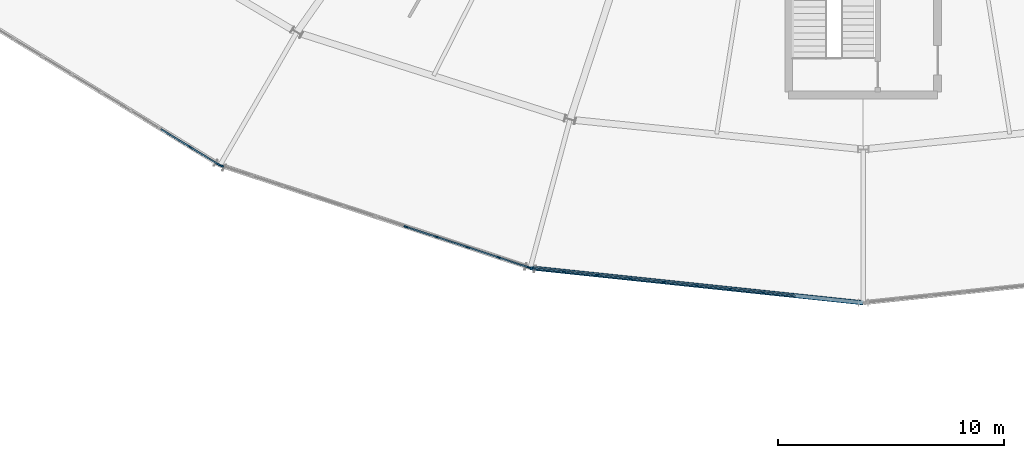
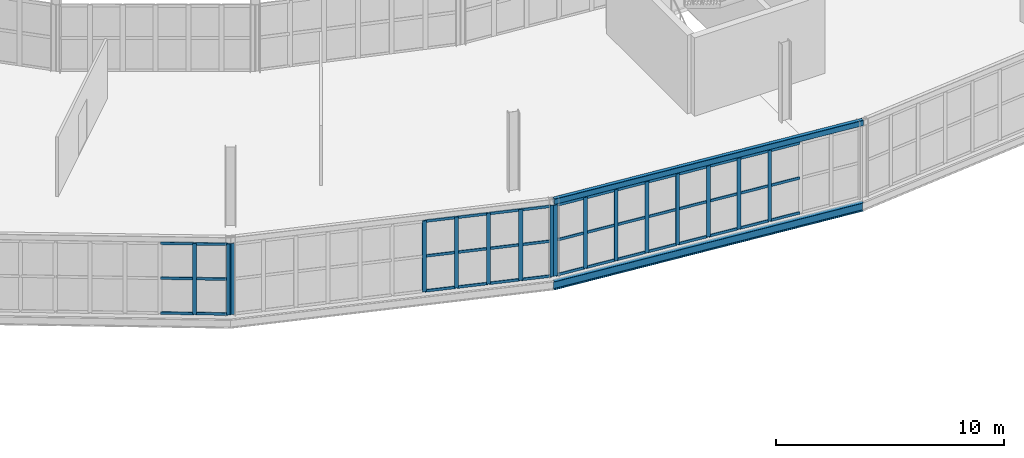
# One storey, part 42 of 161: 58 members, 2 beams, 3 elements without a shape of their own.
"""IFC4 building model written with IfcOpenShell, lengths in metres."""

from ifc_helpers import new_model, si_unit, direction, frame, origin, origin_2d, place, context, subcontext, project, spatial, rectangle, hollow_rectangle, i_section, extrude, material, material_profile, profile_set, type_object, element, aggregate, save


model = new_model("IFC4")

# Units and contexts
model_context = context("Model", 3, precision=1e-05, world=origin(), true_north=direction((0.0, 1.0)))
body_context = subcontext(model_context, "Body", "Model", "MODEL_VIEW")
ifc_project = project(units=[si_unit("LENGTHUNIT", "METRE"), si_unit("AREAUNIT", "SQUARE_METRE"), si_unit("VOLUMEUNIT", "CUBIC_METRE"), si_unit("PLANEANGLEUNIT", "RADIAN"), si_unit("MASSUNIT", "GRAM", prefix="KILO")], contexts=[model_context])

# Site, building, storey
site_placement = place(None, origin())
site = spatial("IfcSite", under=ifc_project, at=site_placement, CompositionType="ELEMENT")
building_placement = place(site_placement, origin())
building = spatial("IfcBuilding", under=site, at=building_placement, Name="Kildeholm Park Wholesale Market", CompositionType="ELEMENT")
storey_placement = place(building_placement, frame((0.0, 0.0, 5.39990234375)))
storey = spatial("IfcBuildingStorey", under=building, at=storey_placement, Name="L01", CompositionType="ELEMENT", Elevation=5.39990234375)

# Beams
ifc_material_1 = material(Name="Steel S355", Category="steel")
ifc_material_profile_1 = material_profile(ifc_material_1, i_section(OverallWidth=0.18994140625, OverallDepth=0.449951171875, WebThickness=0.009521484375, FlangeThickness=0.0146484375, FilletRadius=0.02099609375, at=origin_2d()), Name="IPE 450")
ifc_profile_set_1 = profile_set([ifc_material_profile_1], Name="Steel S355")
beam_type_1 = type_object("IfcBeamType", Name="Beam B-P02 IPE 450", PredefinedType="BEAM", material=ifc_profile_set_1)
beam_1_placement = place(storey_placement, frame((84.2470703125, 45.550048828125, -0.474853515625), z_axis=(0.99452572496, -0.104492020715, 0.0), x_axis=(0.104492020715, 0.99452572496, 0.0)))
element("IfcBeam", 1, at=beam_1_placement, inside=storey, type_object=beam_type_1, Name="Beam BM-V1-L01-CO-17 BM-0160", PredefinedType="BEAM", context=body_context, shape_type="SweptSolid", body=[
    extrude(i_section(OverallWidth=0.18994140625, OverallDepth=0.449951171875, WebThickness=0.009521484375, FlangeThickness=0.0146484375, FilletRadius=0.02099609375, at=origin_2d()), origin(), (0.0, 0.0, 1.0), 14.834228515625),
])
ifc_material_profile_2 = material_profile(ifc_material_1, hollow_rectangle(XDim=0.199951171875, YDim=0.300048828125, WallThickness=0.012451171875, InnerFilletRadius=0.012451171875, OuterFilletRadius=0.02490234375, at=origin_2d()), Name="RHS 300x200x12.5")
ifc_profile_set_2 = profile_set([ifc_material_profile_2], Name="Steel S355")
beam_type_2 = type_object("IfcBeamType", Name="Beam SP-01 RHS 300x200x12.5", PredefinedType="SPANDREL", material=ifc_profile_set_2)
beam_2_placement = place(storey_placement, frame((84.2470703125, 45.550048828125, 4.02294921875), z_axis=(0.99452572496, -0.104492020715, 0.0), x_axis=(0.104492020715, 0.99452572496, 0.0)))
element("IfcBeam", 2, at=beam_2_placement, inside=storey, type_object=beam_type_2, Name="Beam SP-V1-EAV-17 BM-0322", PredefinedType="SPANDREL", context=body_context, shape_type="SweptSolid", body=[
    extrude(hollow_rectangle(XDim=0.199951171875, YDim=0.300048828125, WallThickness=0.012451171875, InnerFilletRadius=0.012451171875, OuterFilletRadius=0.02490234375, at=origin_2d()), origin(), (0.0, 0.0, 1.0), 14.834228515625),
])

# Curtain wall, members
ifc_material_2 = material(Name="Anodised aluminium and low-E double-glazed glass", Category="aluminium")
curtain_wall_type = type_object("IfcCurtainWallType", Name="Market hall glazed arcade stick curtain wall CW-01", PredefinedType="NOTDEFINED", material=ifc_material_2)
curtain_wall_1_placement = place(storey_placement, origin())
curtain_wall_1 = element("IfcCurtainWall", 3, at=curtain_wall_1_placement, inside=storey, type_object=curtain_wall_type, Name="Curtain wall CW-V1-OT-15-1 CW-0074", PredefinedType="NOTDEFINED")
ifc_material_3 = material(Name="Anodised aluminium", Category="aluminium")
ifc_material_profile_3 = material_profile(ifc_material_3, rectangle(XDim=0.06494140625, YDim=0.179931640625, at=origin_2d()), Name="CWM 65x180")
ifc_profile_set_3 = profile_set([ifc_material_profile_3], Name="Anodised aluminium")
member_type_1 = type_object("IfcMemberType", Name="Curtain-wall mullion CWM-1 CWM 65x180", PredefinedType="MULLION", material=ifc_profile_set_3)
member_1_placement = place(storey_placement, frame((69.15869140625, 50.911865234375, 0.0), z_axis=(0.0, 0.0, 1.0), x_axis=(0.522284342695, 0.852771402766, 0.0)))
member_1 = element("IfcMember", 4, at=member_1_placement, type_object=member_type_1, Name="CW-01 mullion 9 MEM-2383", PredefinedType="MULLION", context=body_context, shape_type="SweptSolid", body=[
    extrude(rectangle(XDim=0.06494140625, YDim=0.179931640625, at=origin_2d()), origin(), (0.0, 0.0, 1.0), 3.800048828125),
])
member_2_placement = place(storey_placement, frame((70.435302734375, 50.1298828125, 0.0), z_axis=(0.0, 0.0, 1.0), x_axis=(0.522284342695, 0.852771402766, 0.0)))
member_2 = element("IfcMember", 5, at=member_2_placement, type_object=member_type_1, Name="CW-01 mullion 10 MEM-2384", PredefinedType="MULLION", context=body_context, shape_type="SweptSolid", body=[
    extrude(rectangle(XDim=0.06494140625, YDim=0.179931640625, at=origin_2d()), origin(), (0.0, 0.0, 1.0), 3.800048828125),
])

curtain_wall_2_placement = place(storey_placement, origin())
curtain_wall_2 = element("IfcCurtainWall", 6, at=curtain_wall_2_placement, inside=storey, type_object=curtain_wall_type, Name="Curtain wall CW-V1-OT-16-1 CW-0079", PredefinedType="NOTDEFINED")
member_3_placement = place(storey_placement, frame((70.56689453125, 50.06884765625, 0.0), z_axis=(0.0, 0.0, 1.0), x_axis=(0.313914140335, 0.949451374478, 0.0)))
member_3 = element("IfcMember", 7, at=member_3_placement, type_object=member_type_1, Name="CW-01 mullion 1 MEM-2520", PredefinedType="MULLION", context=body_context, shape_type="SweptSolid", body=[
    extrude(rectangle(XDim=0.06494140625, YDim=0.179931640625, at=origin_2d()), origin(), (0.0, 0.0, 1.0), 3.800048828125),
])
member_4_placement = place(storey_placement, frame((78.738525390625, 47.366943359375, 0.0), z_axis=(0.0, 0.0, 1.0), x_axis=(0.313914140335, 0.949451374478, 0.0)))
member_4 = element("IfcMember", 8, at=member_4_placement, type_object=member_type_1, Name="CW-01 mullion 7 MEM-2526", PredefinedType="MULLION", context=body_context, shape_type="SweptSolid", body=[
    extrude(rectangle(XDim=0.06494140625, YDim=0.179931640625, at=origin_2d()), origin(), (0.0, 0.0, 1.0), 3.800048828125),
])
member_5_placement = place(storey_placement, frame((80.105712890625, 46.9150390625, 0.0), z_axis=(0.0, 0.0, 1.0), x_axis=(0.313914140335, 0.949451374478, 0.0)))
member_5 = element("IfcMember", 9, at=member_5_placement, type_object=member_type_1, Name="CW-01 mullion 8 MEM-2527", PredefinedType="MULLION", context=body_context, shape_type="SweptSolid", body=[
    extrude(rectangle(XDim=0.06494140625, YDim=0.179931640625, at=origin_2d()), origin(), (0.0, 0.0, 1.0), 3.800048828125),
])
member_6_placement = place(storey_placement, frame((81.472900390625, 46.462890625, 0.0), z_axis=(0.0, 0.0, 1.0), x_axis=(0.313914140335, 0.949451374478, 0.0)))
member_6 = element("IfcMember", 10, at=member_6_placement, type_object=member_type_1, Name="CW-01 mullion 9 MEM-2528", PredefinedType="MULLION", context=body_context, shape_type="SweptSolid", body=[
    extrude(rectangle(XDim=0.06494140625, YDim=0.179931640625, at=origin_2d()), origin(), (0.0, 0.0, 1.0), 3.800048828125),
])
member_7_placement = place(storey_placement, frame((82.83984375, 46.010986328125, 0.0), z_axis=(0.0, 0.0, 1.0), x_axis=(0.313914140335, 0.949451374478, 0.0)))
member_7 = element("IfcMember", 11, at=member_7_placement, type_object=member_type_1, Name="CW-01 mullion 10 MEM-2529", PredefinedType="MULLION", context=body_context, shape_type="SweptSolid", body=[
    extrude(rectangle(XDim=0.06494140625, YDim=0.179931640625, at=origin_2d()), origin(), (0.0, 0.0, 1.0), 3.800048828125),
])
member_8_placement = place(storey_placement, frame((84.176025390625, 45.569091796875, 0.0), z_axis=(0.0, 0.0, 1.0), x_axis=(0.313914140335, 0.949451374478, 0.0)))
member_8 = element("IfcMember", 12, at=member_8_placement, type_object=member_type_1, Name="CW-01 mullion 11 MEM-2530", PredefinedType="MULLION", context=body_context, shape_type="SweptSolid", body=[
    extrude(rectangle(XDim=0.06494140625, YDim=0.179931640625, at=origin_2d()), origin(), (0.0, 0.0, 1.0), 3.800048828125),
])

curtain_wall_3_placement = place(storey_placement, origin())
curtain_wall_3 = element("IfcCurtainWall", 13, at=curtain_wall_3_placement, inside=storey, type_object=curtain_wall_type, Name="Curtain wall CW-V1-OT-17-1 CW-0084", PredefinedType="NOTDEFINED")
member_9_placement = place(storey_placement, frame((84.318359375, 45.53857421875, 0.0), z_axis=(0.0, 0.0, 1.0), x_axis=(0.104508383308, 0.994524005652, 0.0)))
member_9 = element("IfcMember", 14, at=member_9_placement, type_object=member_type_1, Name="CW-01 mullion 1 MEM-2669", PredefinedType="MULLION", context=body_context, shape_type="SweptSolid", body=[
    extrude(rectangle(XDim=0.06494140625, YDim=0.179931640625, at=origin_2d()), origin(), (0.0, 0.0, 1.0), 3.800048828125),
])
member_10_placement = place(storey_placement, frame((85.75341796875, 45.3876953125, 0.0), z_axis=(0.0, 0.0, 1.0), x_axis=(0.104508383308, 0.994524005652, 0.0)))
member_10 = element("IfcMember", 15, at=member_10_placement, type_object=member_type_1, Name="CW-01 mullion 2 MEM-2670", PredefinedType="MULLION", context=body_context, shape_type="SweptSolid", body=[
    extrude(rectangle(XDim=0.06494140625, YDim=0.179931640625, at=origin_2d()), origin(), (0.0, 0.0, 1.0), 3.800048828125),
])
member_11_placement = place(storey_placement, frame((87.220703125, 45.233642578125, 0.0), z_axis=(0.0, 0.0, 1.0), x_axis=(0.104508383308, 0.994524005652, 0.0)))
member_11 = element("IfcMember", 16, at=member_11_placement, type_object=member_type_1, Name="CW-01 mullion 3 MEM-2671", PredefinedType="MULLION", context=body_context, shape_type="SweptSolid", body=[
    extrude(rectangle(XDim=0.06494140625, YDim=0.179931640625, at=origin_2d()), origin(), (0.0, 0.0, 1.0), 3.800048828125),
])
member_12_placement = place(storey_placement, frame((88.688232421875, 45.079345703125, 0.0), z_axis=(0.0, 0.0, 1.0), x_axis=(0.104508383308, 0.994524005652, 0.0)))
member_12 = element("IfcMember", 17, at=member_12_placement, type_object=member_type_1, Name="CW-01 mullion 4 MEM-2672", PredefinedType="MULLION", context=body_context, shape_type="SweptSolid", body=[
    extrude(rectangle(XDim=0.06494140625, YDim=0.179931640625, at=origin_2d()), origin(), (0.0, 0.0, 1.0), 3.800048828125),
])
member_13_placement = place(storey_placement, frame((90.155517578125, 44.92529296875, 0.0), z_axis=(0.0, 0.0, 1.0), x_axis=(0.104508383308, 0.994524005652, 0.0)))
member_13 = element("IfcMember", 18, at=member_13_placement, type_object=member_type_1, Name="CW-01 mullion 5 MEM-2673", PredefinedType="MULLION", context=body_context, shape_type="SweptSolid", body=[
    extrude(rectangle(XDim=0.06494140625, YDim=0.179931640625, at=origin_2d()), origin(), (0.0, 0.0, 1.0), 3.800048828125),
])
member_14_placement = place(storey_placement, frame((91.623046875, 44.77099609375, 0.0), z_axis=(0.0, 0.0, 1.0), x_axis=(0.104508383308, 0.994524005652, 0.0)))
member_14 = element("IfcMember", 19, at=member_14_placement, type_object=member_type_1, Name="CW-01 mullion 6 MEM-2674", PredefinedType="MULLION", context=body_context, shape_type="SweptSolid", body=[
    extrude(rectangle(XDim=0.06494140625, YDim=0.179931640625, at=origin_2d()), origin(), (0.0, 0.0, 1.0), 3.800048828125),
])
member_15_placement = place(storey_placement, frame((93.09033203125, 44.61669921875, 0.0), z_axis=(0.0, 0.0, 1.0), x_axis=(0.104508383308, 0.994524005652, 0.0)))
member_15 = element("IfcMember", 20, at=member_15_placement, type_object=member_type_1, Name="CW-01 mullion 7 MEM-2675", PredefinedType="MULLION", context=body_context, shape_type="SweptSolid", body=[
    extrude(rectangle(XDim=0.06494140625, YDim=0.179931640625, at=origin_2d()), origin(), (0.0, 0.0, 1.0), 3.800048828125),
])
member_16_placement = place(storey_placement, frame((94.557861328125, 44.462646484375, 0.0), z_axis=(0.0, 0.0, 1.0), x_axis=(0.104508383308, 0.994524005652, 0.0)))
member_16 = element("IfcMember", 21, at=member_16_placement, type_object=member_type_1, Name="CW-01 mullion 8 MEM-2676", PredefinedType="MULLION", context=body_context, shape_type="SweptSolid", body=[
    extrude(rectangle(XDim=0.06494140625, YDim=0.179931640625, at=origin_2d()), origin(), (0.0, 0.0, 1.0), 3.800048828125),
])

# Member
ifc_material_profile_4 = material_profile(ifc_material_3, rectangle(XDim=0.06494140625, YDim=0.139892578125, at=origin_2d()), Name="CWT 65x140")
ifc_profile_set_4 = profile_set([ifc_material_profile_4], Name="Anodised aluminium")
member_type_2 = type_object("IfcMemberType", Name="Curtain-wall transom CWT-1 CWT 65x140", PredefinedType="USERDEFINED", material=ifc_profile_set_4)
member_17_placement = place(storey_placement, frame((67.88232421875, 51.693603515625, 0.03271484375), z_axis=(0.852749773826, -0.522319656187, 0.0), x_axis=(0.522319656187, 0.852749773826, 0.0)))
member_17 = element("IfcMember", 22, at=member_17_placement, type_object=member_type_2, Name="CW-01 transom 8.1 MEM-2406", ObjectType="TRANSOM", PredefinedType="USERDEFINED", context=body_context, shape_type="SweptSolid", body=[
    extrude(rectangle(XDim=0.06494140625, YDim=0.139892578125, at=origin_2d()), origin(), (0.0, 0.0, 1.0), 1.46435546875),
])

member_18_placement = place(storey_placement, frame((67.88232421875, 51.693603515625, 1.900146484375), z_axis=(0.852749773826, -0.522319656187, 0.0), x_axis=(0.522319656187, 0.852749773826, 0.0)))
member_18 = element("IfcMember", 23, at=member_18_placement, type_object=member_type_2, Name="CW-01 transom 8.2 MEM-2407", ObjectType="TRANSOM", PredefinedType="USERDEFINED", context=body_context, shape_type="SweptSolid", body=[
    extrude(rectangle(XDim=0.06494140625, YDim=0.139892578125, at=origin_2d()), origin(), (0.0, 0.0, 1.0), 1.46435546875),
])

member_19_placement = place(storey_placement, frame((67.88232421875, 51.693603515625, 3.767578125), z_axis=(0.852749773826, -0.522319656187, 0.0), x_axis=(0.522319656187, 0.852749773826, 0.0)))
member_19 = element("IfcMember", 24, at=member_19_placement, type_object=member_type_2, Name="CW-01 transom 8.3 MEM-2408", ObjectType="TRANSOM", PredefinedType="USERDEFINED", context=body_context, shape_type="SweptSolid", body=[
    extrude(rectangle(XDim=0.06494140625, YDim=0.139892578125, at=origin_2d()), origin(), (0.0, 0.0, 1.0), 1.46435546875),
])

member_20_placement = place(storey_placement, frame((69.1865234375, 50.894775390625, 0.03271484375), z_axis=(0.85276295906, -0.522298129094, 0.0), x_axis=(0.522298129094, 0.85276295906, 0.0)))
member_20 = element("IfcMember", 25, at=member_20_placement, type_object=member_type_2, Name="CW-01 transom 9.1 MEM-2409", ObjectType="TRANSOM", PredefinedType="USERDEFINED", context=body_context, shape_type="SweptSolid", body=[
    extrude(rectangle(XDim=0.06494140625, YDim=0.139892578125, at=origin_2d()), origin(), (0.0, 0.0, 1.0), 1.431640625),
])

member_21_placement = place(storey_placement, frame((69.1865234375, 50.894775390625, 1.900146484375), z_axis=(0.85276295906, -0.522298129094, 0.0), x_axis=(0.522298129094, 0.85276295906, 0.0)))
member_21 = element("IfcMember", 26, at=member_21_placement, type_object=member_type_2, Name="CW-01 transom 9.2 MEM-2410", ObjectType="TRANSOM", PredefinedType="USERDEFINED", context=body_context, shape_type="SweptSolid", body=[
    extrude(rectangle(XDim=0.06494140625, YDim=0.139892578125, at=origin_2d()), origin(), (0.0, 0.0, 1.0), 1.431640625),
])

member_22_placement = place(storey_placement, frame((69.1865234375, 50.894775390625, 3.767578125), z_axis=(0.85276295906, -0.522298129094, 0.0), x_axis=(0.522298129094, 0.85276295906, 0.0)))
member_22 = element("IfcMember", 27, at=member_22_placement, type_object=member_type_2, Name="CW-01 transom 9.3 MEM-2411", ObjectType="TRANSOM", PredefinedType="USERDEFINED", context=body_context, shape_type="SweptSolid", body=[
    extrude(rectangle(XDim=0.06494140625, YDim=0.139892578125, at=origin_2d()), origin(), (0.0, 0.0, 1.0), 1.431640625),
])

aggregate(curtain_wall_1, [member_1, member_2, member_17, member_18, member_19, member_20, member_21, member_22])

member_23_placement = place(storey_placement, frame((78.76953125, 47.356689453125, 0.03271484375), z_axis=(0.949496981018, -0.313776167095, 0.0), x_axis=(0.313776167095, 0.949496981018, 0.0)))
member_23 = element("IfcMember", 28, at=member_23_placement, type_object=member_type_2, Name="CW-01 transom 7.1 MEM-2549", ObjectType="TRANSOM", PredefinedType="USERDEFINED", context=body_context, shape_type="SweptSolid", body=[
    extrude(rectangle(XDim=0.06494140625, YDim=0.139892578125, at=origin_2d()), origin(), (0.0, 0.0, 1.0), 1.374755859375),
])

member_24_placement = place(storey_placement, frame((78.76953125, 47.356689453125, 1.900146484375), z_axis=(0.949496981018, -0.313776167095, 0.0), x_axis=(0.313776167095, 0.949496981018, 0.0)))
member_24 = element("IfcMember", 29, at=member_24_placement, type_object=member_type_2, Name="CW-01 transom 7.2 MEM-2550", ObjectType="TRANSOM", PredefinedType="USERDEFINED", context=body_context, shape_type="SweptSolid", body=[
    extrude(rectangle(XDim=0.06494140625, YDim=0.139892578125, at=origin_2d()), origin(), (0.0, 0.0, 1.0), 1.374755859375),
])

member_25_placement = place(storey_placement, frame((78.76953125, 47.356689453125, 3.767578125), z_axis=(0.949496981018, -0.313776167095, 0.0), x_axis=(0.313776167095, 0.949496981018, 0.0)))
member_25 = element("IfcMember", 30, at=member_25_placement, type_object=member_type_2, Name="CW-01 transom 7.3 MEM-2551", ObjectType="TRANSOM", PredefinedType="USERDEFINED", context=body_context, shape_type="SweptSolid", body=[
    extrude(rectangle(XDim=0.06494140625, YDim=0.139892578125, at=origin_2d()), origin(), (0.0, 0.0, 1.0), 1.374755859375),
])

member_26_placement = place(storey_placement, frame((80.136474609375, 46.90478515625, 0.03271484375), z_axis=(0.949444065444, -0.313936246064, 0.0), x_axis=(0.313936246064, 0.949444065444, 0.0)))
member_26 = element("IfcMember", 31, at=member_26_placement, type_object=member_type_2, Name="CW-01 transom 8.1 MEM-2552", ObjectType="TRANSOM", PredefinedType="USERDEFINED", context=body_context, shape_type="SweptSolid", body=[
    extrude(rectangle(XDim=0.06494140625, YDim=0.139892578125, at=origin_2d()), origin(), (0.0, 0.0, 1.0), 1.375),
])

member_27_placement = place(storey_placement, frame((80.136474609375, 46.90478515625, 1.900146484375), z_axis=(0.949444065444, -0.313936246064, 0.0), x_axis=(0.313936246064, 0.949444065444, 0.0)))
member_27 = element("IfcMember", 32, at=member_27_placement, type_object=member_type_2, Name="CW-01 transom 8.2 MEM-2553", ObjectType="TRANSOM", PredefinedType="USERDEFINED", context=body_context, shape_type="SweptSolid", body=[
    extrude(rectangle(XDim=0.06494140625, YDim=0.139892578125, at=origin_2d()), origin(), (0.0, 0.0, 1.0), 1.375),
])

member_28_placement = place(storey_placement, frame((80.136474609375, 46.90478515625, 3.767578125), z_axis=(0.949444065444, -0.313936246064, 0.0), x_axis=(0.313936246064, 0.949444065444, 0.0)))
member_28 = element("IfcMember", 33, at=member_28_placement, type_object=member_type_2, Name="CW-01 transom 8.3 MEM-2554", ObjectType="TRANSOM", PredefinedType="USERDEFINED", context=body_context, shape_type="SweptSolid", body=[
    extrude(rectangle(XDim=0.06494140625, YDim=0.139892578125, at=origin_2d()), origin(), (0.0, 0.0, 1.0), 1.375),
])

member_29_placement = place(storey_placement, frame((81.503662109375, 46.452880859375, 0.03271484375), z_axis=(0.949444065444, -0.313936246064, 0.0), x_axis=(0.313936246064, 0.949444065444, 0.0)))
member_29 = element("IfcMember", 34, at=member_29_placement, type_object=member_type_2, Name="CW-01 transom 9.1 MEM-2555", ObjectType="TRANSOM", PredefinedType="USERDEFINED", context=body_context, shape_type="SweptSolid", body=[
    extrude(rectangle(XDim=0.06494140625, YDim=0.139892578125, at=origin_2d()), origin(), (0.0, 0.0, 1.0), 1.375),
])

member_30_placement = place(storey_placement, frame((81.503662109375, 46.452880859375, 1.900146484375), z_axis=(0.949444065444, -0.313936246064, 0.0), x_axis=(0.313936246064, 0.949444065444, 0.0)))
member_30 = element("IfcMember", 35, at=member_30_placement, type_object=member_type_2, Name="CW-01 transom 9.2 MEM-2556", ObjectType="TRANSOM", PredefinedType="USERDEFINED", context=body_context, shape_type="SweptSolid", body=[
    extrude(rectangle(XDim=0.06494140625, YDim=0.139892578125, at=origin_2d()), origin(), (0.0, 0.0, 1.0), 1.375),
])

member_31_placement = place(storey_placement, frame((81.503662109375, 46.452880859375, 3.767578125), z_axis=(0.949444065444, -0.313936246064, 0.0), x_axis=(0.313936246064, 0.949444065444, 0.0)))
member_31 = element("IfcMember", 36, at=member_31_placement, type_object=member_type_2, Name="CW-01 transom 9.3 MEM-2557", ObjectType="TRANSOM", PredefinedType="USERDEFINED", context=body_context, shape_type="SweptSolid", body=[
    extrude(rectangle(XDim=0.06494140625, YDim=0.139892578125, at=origin_2d()), origin(), (0.0, 0.0, 1.0), 1.375),
])

member_32_placement = place(storey_placement, frame((82.870849609375, 46.000732421875, 0.03271484375), z_axis=(0.94944445073, -0.313935080835, 0.0), x_axis=(0.313935080835, 0.94944445073, 0.0)))
member_32 = element("IfcMember", 37, at=member_32_placement, type_object=member_type_2, Name="CW-01 transom 10.1 MEM-2558", ObjectType="TRANSOM", PredefinedType="USERDEFINED", context=body_context, shape_type="SweptSolid", body=[
    extrude(rectangle(XDim=0.06494140625, YDim=0.139892578125, at=origin_2d()), origin(), (0.0, 0.0, 1.0), 1.34228515625),
])

member_33_placement = place(storey_placement, frame((82.870849609375, 46.000732421875, 1.900146484375), z_axis=(0.94944445073, -0.313935080835, 0.0), x_axis=(0.313935080835, 0.94944445073, 0.0)))
member_33 = element("IfcMember", 38, at=member_33_placement, type_object=member_type_2, Name="CW-01 transom 10.2 MEM-2559", ObjectType="TRANSOM", PredefinedType="USERDEFINED", context=body_context, shape_type="SweptSolid", body=[
    extrude(rectangle(XDim=0.06494140625, YDim=0.139892578125, at=origin_2d()), origin(), (0.0, 0.0, 1.0), 1.34228515625),
])

member_34_placement = place(storey_placement, frame((82.870849609375, 46.000732421875, 3.767578125), z_axis=(0.94944445073, -0.313935080835, 0.0), x_axis=(0.313935080835, 0.94944445073, 0.0)))
member_34 = element("IfcMember", 39, at=member_34_placement, type_object=member_type_2, Name="CW-01 transom 10.3 MEM-2560", ObjectType="TRANSOM", PredefinedType="USERDEFINED", context=body_context, shape_type="SweptSolid", body=[
    extrude(rectangle(XDim=0.06494140625, YDim=0.139892578125, at=origin_2d()), origin(), (0.0, 0.0, 1.0), 1.34228515625),
])

aggregate(curtain_wall_2, [member_3, member_4, member_5, member_6, member_7, member_8, member_23, member_24, member_25, member_26, member_27, member_28, member_29, member_30, member_31, member_32, member_33, member_34])

member_35_placement = place(storey_placement, frame((84.3505859375, 45.53515625, 0.03271484375), z_axis=(0.994522911448, -0.104518795467, 0.0), x_axis=(0.104518795467, 0.994522911448, 0.0)))
member_35 = element("IfcMember", 40, at=member_35_placement, type_object=member_type_2, Name="CW-01 transom 1.1 MEM-2680", ObjectType="TRANSOM", PredefinedType="USERDEFINED", context=body_context, shape_type="SweptSolid", body=[
    extrude(rectangle(XDim=0.06494140625, YDim=0.139892578125, at=origin_2d()), origin(), (0.0, 0.0, 1.0), 1.378173828125),
])

member_36_placement = place(storey_placement, frame((84.3505859375, 45.53515625, 1.900146484375), z_axis=(0.994522911448, -0.104518795467, 0.0), x_axis=(0.104518795467, 0.994522911448, 0.0)))
member_36 = element("IfcMember", 41, at=member_36_placement, type_object=member_type_2, Name="CW-01 transom 1.2 MEM-2681", ObjectType="TRANSOM", PredefinedType="USERDEFINED", context=body_context, shape_type="SweptSolid", body=[
    extrude(rectangle(XDim=0.06494140625, YDim=0.139892578125, at=origin_2d()), origin(), (0.0, 0.0, 1.0), 1.378173828125),
])

member_37_placement = place(storey_placement, frame((84.3505859375, 45.53515625, 3.767578125), z_axis=(0.994522911448, -0.104518795467, 0.0), x_axis=(0.104518795467, 0.994522911448, 0.0)))
member_37 = element("IfcMember", 42, at=member_37_placement, type_object=member_type_2, Name="CW-01 transom 1.3 MEM-2682", ObjectType="TRANSOM", PredefinedType="USERDEFINED", context=body_context, shape_type="SweptSolid", body=[
    extrude(rectangle(XDim=0.06494140625, YDim=0.139892578125, at=origin_2d()), origin(), (0.0, 0.0, 1.0), 1.378173828125),
])

member_38_placement = place(storey_placement, frame((85.78564453125, 45.384521484375, 0.03271484375), z_axis=(0.994520616656, -0.104540628691, 0.0), x_axis=(0.104540628691, 0.994520616656, 0.0)))
member_38 = element("IfcMember", 43, at=member_38_placement, type_object=member_type_2, Name="CW-01 transom 2.1 MEM-2683", ObjectType="TRANSOM", PredefinedType="USERDEFINED", context=body_context, shape_type="SweptSolid", body=[
    extrude(rectangle(XDim=0.06494140625, YDim=0.139892578125, at=origin_2d()), origin(), (0.0, 0.0, 1.0), 1.41064453125),
])

member_39_placement = place(storey_placement, frame((85.78564453125, 45.384521484375, 1.900146484375), z_axis=(0.994520616656, -0.104540628691, 0.0), x_axis=(0.104540628691, 0.994520616656, 0.0)))
member_39 = element("IfcMember", 44, at=member_39_placement, type_object=member_type_2, Name="CW-01 transom 2.2 MEM-2684", ObjectType="TRANSOM", PredefinedType="USERDEFINED", context=body_context, shape_type="SweptSolid", body=[
    extrude(rectangle(XDim=0.06494140625, YDim=0.139892578125, at=origin_2d()), origin(), (0.0, 0.0, 1.0), 1.41064453125),
])

member_40_placement = place(storey_placement, frame((85.78564453125, 45.384521484375, 3.767578125), z_axis=(0.994520616656, -0.104540628691, 0.0), x_axis=(0.104540628691, 0.994520616656, 0.0)))
member_40 = element("IfcMember", 45, at=member_40_placement, type_object=member_type_2, Name="CW-01 transom 2.3 MEM-2685", ObjectType="TRANSOM", PredefinedType="USERDEFINED", context=body_context, shape_type="SweptSolid", body=[
    extrude(rectangle(XDim=0.06494140625, YDim=0.139892578125, at=origin_2d()), origin(), (0.0, 0.0, 1.0), 1.41064453125),
])

member_41_placement = place(storey_placement, frame((87.253173828125, 45.230224609375, 0.03271484375), z_axis=(0.994518724615, -0.104558626574, 0.0), x_axis=(0.104558626574, 0.994518724615, 0.0)))
member_41 = element("IfcMember", 46, at=member_41_placement, type_object=member_type_2, Name="CW-01 transom 3.1 MEM-2686", ObjectType="TRANSOM", PredefinedType="USERDEFINED", context=body_context, shape_type="SweptSolid", body=[
    extrude(rectangle(XDim=0.06494140625, YDim=0.139892578125, at=origin_2d()), origin(), (0.0, 0.0, 1.0), 1.410400390625),
])

member_42_placement = place(storey_placement, frame((87.253173828125, 45.230224609375, 1.900146484375), z_axis=(0.994518724615, -0.104558626574, 0.0), x_axis=(0.104558626574, 0.994518724615, 0.0)))
member_42 = element("IfcMember", 47, at=member_42_placement, type_object=member_type_2, Name="CW-01 transom 3.2 MEM-2687", ObjectType="TRANSOM", PredefinedType="USERDEFINED", context=body_context, shape_type="SweptSolid", body=[
    extrude(rectangle(XDim=0.06494140625, YDim=0.139892578125, at=origin_2d()), origin(), (0.0, 0.0, 1.0), 1.410400390625),
])

member_43_placement = place(storey_placement, frame((87.253173828125, 45.230224609375, 3.767578125), z_axis=(0.994518724615, -0.104558626574, 0.0), x_axis=(0.104558626574, 0.994518724615, 0.0)))
member_43 = element("IfcMember", 48, at=member_43_placement, type_object=member_type_2, Name="CW-01 transom 3.3 MEM-2688", ObjectType="TRANSOM", PredefinedType="USERDEFINED", context=body_context, shape_type="SweptSolid", body=[
    extrude(rectangle(XDim=0.06494140625, YDim=0.139892578125, at=origin_2d()), origin(), (0.0, 0.0, 1.0), 1.410400390625),
])

member_44_placement = place(storey_placement, frame((88.720458984375, 45.075927734375, 0.03271484375), z_axis=(0.994538597049, -0.104369435089, 0.0), x_axis=(0.104369435089, 0.994538597049, 0.0)))
member_44 = element("IfcMember", 49, at=member_44_placement, type_object=member_type_2, Name="CW-01 transom 4.1 MEM-2689", ObjectType="TRANSOM", PredefinedType="USERDEFINED", context=body_context, shape_type="SweptSolid", body=[
    extrude(rectangle(XDim=0.06494140625, YDim=0.139892578125, at=origin_2d()), origin(), (0.0, 0.0, 1.0), 1.41064453125),
])

member_45_placement = place(storey_placement, frame((88.720458984375, 45.075927734375, 1.900146484375), z_axis=(0.994538597049, -0.104369435089, 0.0), x_axis=(0.104369435089, 0.994538597049, 0.0)))
member_45 = element("IfcMember", 50, at=member_45_placement, type_object=member_type_2, Name="CW-01 transom 4.2 MEM-2690", ObjectType="TRANSOM", PredefinedType="USERDEFINED", context=body_context, shape_type="SweptSolid", body=[
    extrude(rectangle(XDim=0.06494140625, YDim=0.139892578125, at=origin_2d()), origin(), (0.0, 0.0, 1.0), 1.41064453125),
])

member_46_placement = place(storey_placement, frame((88.720458984375, 45.075927734375, 3.767578125), z_axis=(0.994538597049, -0.104369435089, 0.0), x_axis=(0.104369435089, 0.994538597049, 0.0)))
member_46 = element("IfcMember", 51, at=member_46_placement, type_object=member_type_2, Name="CW-01 transom 4.3 MEM-2691", ObjectType="TRANSOM", PredefinedType="USERDEFINED", context=body_context, shape_type="SweptSolid", body=[
    extrude(rectangle(XDim=0.06494140625, YDim=0.139892578125, at=origin_2d()), origin(), (0.0, 0.0, 1.0), 1.41064453125),
])

member_47_placement = place(storey_placement, frame((90.18798828125, 44.921875, 0.03271484375), z_axis=(0.994518724615, -0.104558626574, 0.0), x_axis=(0.104558626574, 0.994518724615, 0.0)))
member_47 = element("IfcMember", 52, at=member_47_placement, type_object=member_type_2, Name="CW-01 transom 5.1 MEM-2692", ObjectType="TRANSOM", PredefinedType="USERDEFINED", context=body_context, shape_type="SweptSolid", body=[
    extrude(rectangle(XDim=0.06494140625, YDim=0.139892578125, at=origin_2d()), origin(), (0.0, 0.0, 1.0), 1.410400390625),
])

member_48_placement = place(storey_placement, frame((90.18798828125, 44.921875, 1.900146484375), z_axis=(0.994518724615, -0.104558626574, 0.0), x_axis=(0.104558626574, 0.994518724615, 0.0)))
member_48 = element("IfcMember", 53, at=member_48_placement, type_object=member_type_2, Name="CW-01 transom 5.2 MEM-2693", ObjectType="TRANSOM", PredefinedType="USERDEFINED", context=body_context, shape_type="SweptSolid", body=[
    extrude(rectangle(XDim=0.06494140625, YDim=0.139892578125, at=origin_2d()), origin(), (0.0, 0.0, 1.0), 1.410400390625),
])

member_49_placement = place(storey_placement, frame((90.18798828125, 44.921875, 3.767578125), z_axis=(0.994518724615, -0.104558626574, 0.0), x_axis=(0.104558626574, 0.994518724615, 0.0)))
member_49 = element("IfcMember", 54, at=member_49_placement, type_object=member_type_2, Name="CW-01 transom 5.3 MEM-2694", ObjectType="TRANSOM", PredefinedType="USERDEFINED", context=body_context, shape_type="SweptSolid", body=[
    extrude(rectangle(XDim=0.06494140625, YDim=0.139892578125, at=origin_2d()), origin(), (0.0, 0.0, 1.0), 1.410400390625),
])

member_50_placement = place(storey_placement, frame((91.6552734375, 44.767578125, 0.03271484375), z_axis=(0.994520616656, -0.104540628691, 0.0), x_axis=(0.104540628691, 0.994520616656, 0.0)))
member_50 = element("IfcMember", 55, at=member_50_placement, type_object=member_type_2, Name="CW-01 transom 6.1 MEM-2695", ObjectType="TRANSOM", PredefinedType="USERDEFINED", context=body_context, shape_type="SweptSolid", body=[
    extrude(rectangle(XDim=0.06494140625, YDim=0.139892578125, at=origin_2d()), origin(), (0.0, 0.0, 1.0), 1.41064453125),
])

member_51_placement = place(storey_placement, frame((91.6552734375, 44.767578125, 1.900146484375), z_axis=(0.994520616656, -0.104540628691, 0.0), x_axis=(0.104540628691, 0.994520616656, 0.0)))
member_51 = element("IfcMember", 56, at=member_51_placement, type_object=member_type_2, Name="CW-01 transom 6.2 MEM-2696", ObjectType="TRANSOM", PredefinedType="USERDEFINED", context=body_context, shape_type="SweptSolid", body=[
    extrude(rectangle(XDim=0.06494140625, YDim=0.139892578125, at=origin_2d()), origin(), (0.0, 0.0, 1.0), 1.41064453125),
])

member_52_placement = place(storey_placement, frame((91.6552734375, 44.767578125, 3.767578125), z_axis=(0.994520616656, -0.104540628691, 0.0), x_axis=(0.104540628691, 0.994520616656, 0.0)))
member_52 = element("IfcMember", 57, at=member_52_placement, type_object=member_type_2, Name="CW-01 transom 6.3 MEM-2697", ObjectType="TRANSOM", PredefinedType="USERDEFINED", context=body_context, shape_type="SweptSolid", body=[
    extrude(rectangle(XDim=0.06494140625, YDim=0.139892578125, at=origin_2d()), origin(), (0.0, 0.0, 1.0), 1.41064453125),
])

member_53_placement = place(storey_placement, frame((93.122802734375, 44.613525390625, 0.03271484375), z_axis=(0.994518724615, -0.104558626574, 0.0), x_axis=(0.104558626574, 0.994518724615, 0.0)))
member_53 = element("IfcMember", 58, at=member_53_placement, type_object=member_type_2, Name="CW-01 transom 7.1 MEM-2698", ObjectType="TRANSOM", PredefinedType="USERDEFINED", context=body_context, shape_type="SweptSolid", body=[
    extrude(rectangle(XDim=0.06494140625, YDim=0.139892578125, at=origin_2d()), origin(), (0.0, 0.0, 1.0), 1.410400390625),
])

member_54_placement = place(storey_placement, frame((93.122802734375, 44.613525390625, 1.900146484375), z_axis=(0.994518724615, -0.104558626574, 0.0), x_axis=(0.104558626574, 0.994518724615, 0.0)))
member_54 = element("IfcMember", 59, at=member_54_placement, type_object=member_type_2, Name="CW-01 transom 7.2 MEM-2699", ObjectType="TRANSOM", PredefinedType="USERDEFINED", context=body_context, shape_type="SweptSolid", body=[
    extrude(rectangle(XDim=0.06494140625, YDim=0.139892578125, at=origin_2d()), origin(), (0.0, 0.0, 1.0), 1.410400390625),
])

member_55_placement = place(storey_placement, frame((93.122802734375, 44.613525390625, 3.767578125), z_axis=(0.994518724615, -0.104558626574, 0.0), x_axis=(0.104558626574, 0.994518724615, 0.0)))
member_55 = element("IfcMember", 60, at=member_55_placement, type_object=member_type_2, Name="CW-01 transom 7.3 MEM-2700", ObjectType="TRANSOM", PredefinedType="USERDEFINED", context=body_context, shape_type="SweptSolid", body=[
    extrude(rectangle(XDim=0.06494140625, YDim=0.139892578125, at=origin_2d()), origin(), (0.0, 0.0, 1.0), 1.410400390625),
])

member_56_placement = place(storey_placement, frame((94.590087890625, 44.459228515625, 0.03271484375), z_axis=(0.994520616656, -0.104540628691, 0.0), x_axis=(0.104540628691, 0.994520616656, 0.0)))
member_56 = element("IfcMember", 61, at=member_56_placement, type_object=member_type_2, Name="CW-01 transom 8.1 MEM-2701", ObjectType="TRANSOM", PredefinedType="USERDEFINED", context=body_context, shape_type="SweptSolid", body=[
    extrude(rectangle(XDim=0.06494140625, YDim=0.139892578125, at=origin_2d()), origin(), (0.0, 0.0, 1.0), 1.41064453125),
])

member_57_placement = place(storey_placement, frame((94.590087890625, 44.459228515625, 1.900146484375), z_axis=(0.994520616656, -0.104540628691, 0.0), x_axis=(0.104540628691, 0.994520616656, 0.0)))
member_57 = element("IfcMember", 62, at=member_57_placement, type_object=member_type_2, Name="CW-01 transom 8.2 MEM-2702", ObjectType="TRANSOM", PredefinedType="USERDEFINED", context=body_context, shape_type="SweptSolid", body=[
    extrude(rectangle(XDim=0.06494140625, YDim=0.139892578125, at=origin_2d()), origin(), (0.0, 0.0, 1.0), 1.41064453125),
])

member_58_placement = place(storey_placement, frame((94.590087890625, 44.459228515625, 3.767578125), z_axis=(0.994520616656, -0.104540628691, 0.0), x_axis=(0.104540628691, 0.994520616656, 0.0)))
member_58 = element("IfcMember", 63, at=member_58_placement, type_object=member_type_2, Name="CW-01 transom 8.3 MEM-2703", ObjectType="TRANSOM", PredefinedType="USERDEFINED", context=body_context, shape_type="SweptSolid", body=[
    extrude(rectangle(XDim=0.06494140625, YDim=0.139892578125, at=origin_2d()), origin(), (0.0, 0.0, 1.0), 1.41064453125),
])

aggregate(curtain_wall_3, [member_9, member_10, member_11, member_12, member_13, member_14, member_15, member_16, member_35, member_36, member_37, member_38, member_39, member_40, member_41, member_42, member_43, member_44, member_45, member_46, member_47, member_48, member_49, member_50, member_51, member_52, member_53, member_54, member_55, member_56, member_57, member_58])

save(model, "model.ifc")
